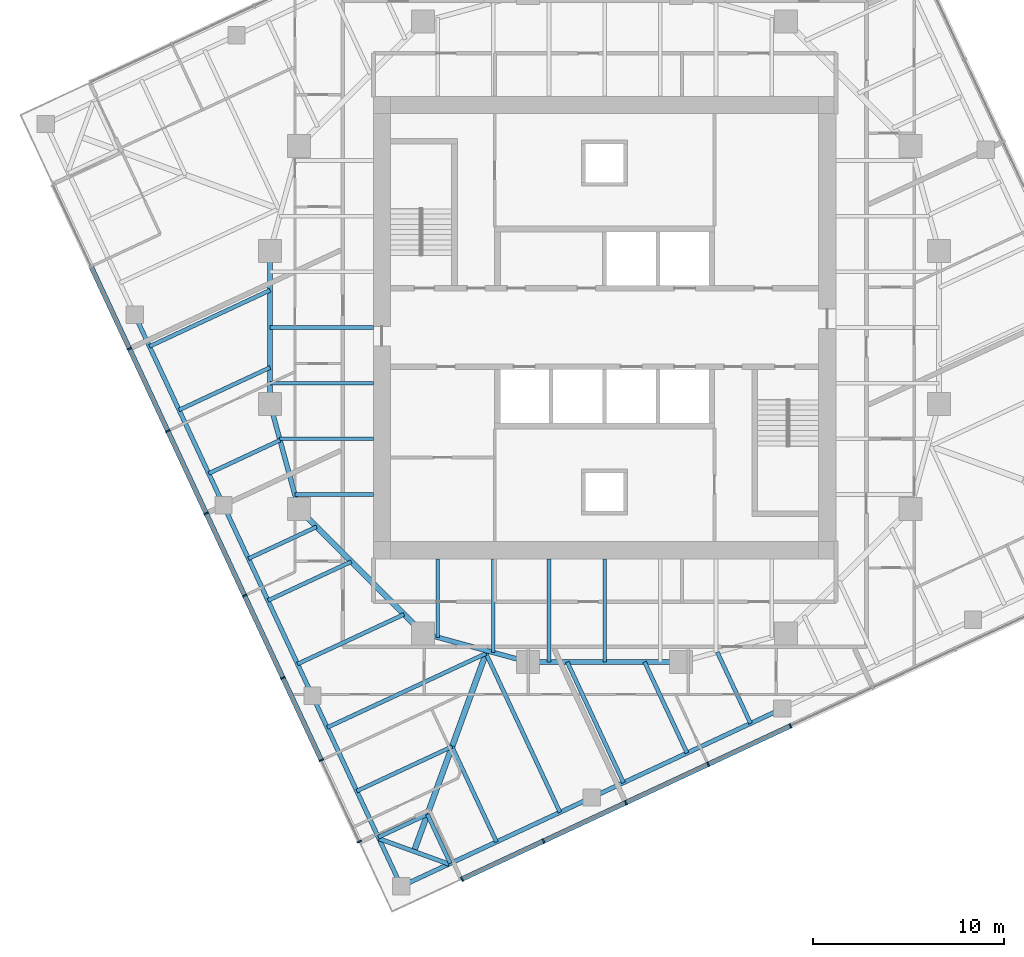
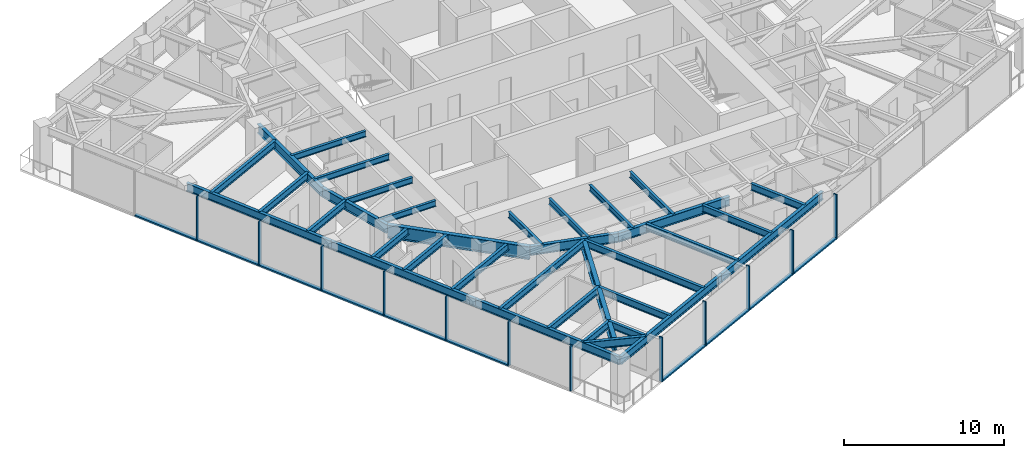
# One storey, part 2 of 12: 35 beams, 22 members, 2 elements without a shape of their own.
"""IFC4 building model written with IfcOpenShell, lengths in metres."""

import ifcopenshell
import ifcopenshell.guid

model = None  # the IFC model being written
_history = None  # IfcOwnerHistory: only IFC2X3 demands one
_inside = {}  # id of a spatial element -> (the spatial element, [elements in it])
_under = {}  # id of a project, library or spatial element -> (it, [spatial elements below it])
_declared = {}  # id of a project -> (the project, [libraries it declares])
_typed = {}  # id of a type object -> (the type object, [elements of that type])
_made_of = {}  # id of a material, layer set ... -> (it, [elements and type objects made of it])


def new_model(schema):
    """Start an empty IFC model of exactly this schema.

    Asked for "IFC4X3", IfcOpenShell would pick the latest addendum, in which some entities
    have other attributes; the version numbers below select the first issue.
    IFC2X3 requires an IfcOwnerHistory on every rooted entity: one is made here for all.
    """
    global model, _history
    if schema == "IFC4X3":
        model = ifcopenshell.file(schema_version=(4, 3, 0, 0))
    else:
        model = ifcopenshell.file(schema=schema)
    _inside.clear()
    _under.clear()
    _declared.clear()
    _typed.clear()
    _made_of.clear()
    _history = None
    if model.schema == "IFC2X3":
        org = make("IfcOrganization", Name="unknown")
        user = make(
            "IfcPersonAndOrganization",
            ThePerson=make("IfcPerson", FamilyName="unknown"),
            TheOrganization=org,
        )
        app = make(
            "IfcApplication",
            ApplicationDeveloper=org,
            Version="unknown",
            ApplicationFullName="unknown",
            ApplicationIdentifier="unknown",
        )
        _history = make(
            "IfcOwnerHistory",
            OwningUser=user,
            OwningApplication=app,
            ChangeAction="ADDED",
            CreationDate=0,
        )
    return model


def make(cls, **values):
    """One entity of the class cls with the attributes given. An attribute that is None is left unset."""
    return model.create_entity(
        cls, **{name: value for name, value in values.items() if value is not None}
    )


def rooted(cls, **values):
    """An entity with a GlobalId (a new one), such as an element, a storey or a relation."""
    return make(cls, GlobalId=ifcopenshell.guid.new(), OwnerHistory=_history, **values)


def si_unit(unit_type, name, prefix=None):
    """IfcSIUnit, for example si_unit("LENGTHUNIT", "METRE", prefix="MILLI")."""
    return make("IfcSIUnit", UnitType=unit_type, Prefix=prefix, Name=name)


def assignment(units):
    """IfcUnitAssignment: the units of a project."""
    return None if units is None else make("IfcUnitAssignment", Units=units)


def point(xyz):
    """IfcCartesianPoint."""
    return None if xyz is None else make("IfcCartesianPoint", Coordinates=xyz)


def direction(xyz):
    """IfcDirection."""
    return None if xyz is None else make("IfcDirection", DirectionRatios=xyz)


def frame(location, z_axis=None, x_axis=None):
    """IfcAxis2Placement3D, a coordinate frame: its origin and axes. An axis left out is left unset."""
    return make(
        "IfcAxis2Placement3D",
        Location=point(location),
        Axis=direction(z_axis),
        RefDirection=direction(x_axis),
    )


def frame_2d(location, x_axis=None):
    """IfcAxis2Placement2D, a coordinate frame in the plane: its origin and x axis."""
    return make(
        "IfcAxis2Placement2D", Location=point(location), RefDirection=direction(x_axis)
    )


def origin():
    """The frame at (0, 0, 0) with its axes left unset."""
    return frame((0.0, 0.0, 0.0))


def origin_2d():
    """The frame at (0, 0) in the plane with its x axis left unset."""
    return frame_2d((0.0, 0.0))


def place(relative_to, where):
    """IfcLocalPlacement: puts the frame where relative to a parent placement (None: the world)."""
    return make(
        "IfcLocalPlacement", PlacementRelTo=relative_to, RelativePlacement=where
    )


def context(
    kind, dimensions, precision=None, world=None, true_north=None, identifier=None
):
    """IfcGeometricRepresentationContext, for example the 3D "Model" context."""
    return make(
        "IfcGeometricRepresentationContext",
        ContextIdentifier=identifier,
        ContextType=kind,
        CoordinateSpaceDimension=dimensions,
        Precision=precision,
        WorldCoordinateSystem=world,
        TrueNorth=true_north,
    )


def subcontext(parent, identifier, kind, view, scale=None):
    """IfcGeometricRepresentationSubContext, for example "Body" below "Model"."""
    return make(
        "IfcGeometricRepresentationSubContext",
        ContextIdentifier=identifier,
        ContextType=kind,
        ParentContext=parent,
        TargetScale=scale,
        TargetView=view,
    )


def project(units=None, contexts=None):
    """IfcProject with its units and contexts."""
    return rooted(
        "IfcProject",
        Name="project",
        RepresentationContexts=contexts,
        UnitsInContext=assignment(units),
    )


def spatial(cls, under=None, at=None, **own):
    """A site, building, storey or space (cls), placed at a placement, below another one or the project."""
    s = rooted(cls, ObjectPlacement=at, **own)
    if under is not None:
        _under.setdefault(under.id(), (under, []))[1].append(s)
    return s


def profile(cls, at=None, kind="AREA", **sizes):
    """A parametric profile (cls). Its sizes go by their IFC names, for example OverallWidth=200.0."""
    return make(cls, ProfileType=kind, Position=at, **sizes)


def rectangle(**sizes):
    """IfcRectangleProfileDef."""
    return profile("IfcRectangleProfileDef", **sizes)


def i_section(**sizes):
    """IfcIShapeProfileDef."""
    return profile("IfcIShapeProfileDef", **sizes)


def extrude(swept, where, along, depth):
    """IfcExtrudedAreaSolid: the profile swept, set in the frame where, extruded along a direction by depth."""
    return make(
        "IfcExtrudedAreaSolid",
        SweptArea=swept,
        Position=where,
        ExtrudedDirection=direction(along),
        Depth=depth,
    )


def shape(context_of_items, identifier, shape_type, items):
    """IfcShapeRepresentation: the items that make up one representation, for example the "Body"."""
    return make(
        "IfcShapeRepresentation",
        ContextOfItems=context_of_items,
        RepresentationIdentifier=identifier,
        RepresentationType=shape_type,
        Items=items,
    )


def material(Name=None, Category=None):
    """IfcMaterial."""
    return make("IfcMaterial", Name=Name, Category=Category)


def material_profile(
    of_material, cross_section, Name=None, Category=None, Priority=None
):
    """IfcMaterialProfile: a cross section and its material."""
    return make(
        "IfcMaterialProfile",
        Name=Name,
        Material=of_material,
        Profile=cross_section,
        Priority=Priority,
        Category=Category,
    )


def profile_set(profiles, Name=None, composite=None):
    """IfcMaterialProfileSet."""
    return make(
        "IfcMaterialProfileSet",
        Name=Name,
        MaterialProfiles=profiles,
        CompositeProfile=composite,
    )


def made_of(thing, what):
    """Note that an element or type object is made of a material, layer set ...; save() writes the relation."""
    if what is not None:
        _made_of.setdefault(what.id(), (what, []))[1].append(thing)
    return thing


def type_object(cls, material=None, **own):
    """A type object (cls), such as IfcWallType, which elements share."""
    return made_of(rooted(cls, **own), material)


def element(
    cls,
    number,
    at=None,
    inside=None,
    cuts=None,
    type_object=None,
    material=None,
    context=None,
    identifier="Body",
    shape_type=None,
    held_by="IfcProductDefinitionShape",
    body=None,
    shapes=None,
    **own,
):
    """One element of the class cls, such as IfcWall. Its Tag is "e" and its number.

    at: its placement. inside: the storey or other place that contains it. cuts: it is an
    opening in that element (IfcRelVoidsElement). A single representation is given by context,
    identifier, shape_type and body (its items); several are given by shapes. held_by: the class
    of the entity that holds the representations. save() writes the other relations.
    """
    e = rooted(cls, Tag="e%d" % number, ObjectPlacement=at, **own)
    if body is not None:
        shapes = [shape(context, identifier, shape_type, body)]
    if shapes is not None:
        e.Representation = make(held_by, Representations=shapes)
    if inside is not None:
        _inside.setdefault(inside.id(), (inside, []))[1].append(e)
    if cuts is not None:
        rooted(
            "IfcRelVoidsElement", RelatingBuildingElement=cuts, RelatedOpeningElement=e
        )
    if type_object is not None:
        _typed.setdefault(type_object.id(), (type_object, []))[1].append(e)
    return made_of(e, material)


def aggregate(whole, parts):
    """IfcRelAggregates: a whole, such as a stair, and the parts it consists of."""
    return rooted("IfcRelAggregates", RelatingObject=whole, RelatedObjects=parts)


def save(model, path):
    """Write the relations noted so far, then the file.

    IfcRelAggregates (storeys below a building ...), IfcRelContainedInSpatialStructure (elements
    in a storey), IfcRelDefinesByType, IfcRelAssociatesMaterial and IfcRelDeclares: one each for
    every whole, place, type object, material and project.
    """
    for whole, parts in _under.values():
        aggregate(whole, parts)
    for where, things in _inside.values():
        rooted(
            "IfcRelContainedInSpatialStructure",
            RelatedElements=things,
            RelatingStructure=where,
        )
    for kind, things in _typed.values():
        rooted("IfcRelDefinesByType", RelatedObjects=things, RelatingType=kind)
    for what, things in _made_of.values():
        rooted("IfcRelAssociatesMaterial", RelatedObjects=things, RelatingMaterial=what)
    for by, libraries in _declared.values():
        rooted("IfcRelDeclares", RelatingContext=by, RelatedDefinitions=libraries)
    model.write(path)


model = new_model("IFC4")

# Units and contexts
model_context = context("Model", 3, precision=1e-05, world=origin(), true_north=direction((0.0, 1.0)))
body_context = subcontext(model_context, "Body", "Model", "MODEL_VIEW")
ifc_project = project(units=[si_unit("LENGTHUNIT", "METRE"), si_unit("AREAUNIT", "SQUARE_METRE"), si_unit("VOLUMEUNIT", "CUBIC_METRE"), si_unit("PLANEANGLEUNIT", "RADIAN"), si_unit("MASSUNIT", "GRAM", prefix="KILO")], contexts=[model_context])

# Site, building, storey
site_placement = place(None, origin())
site = spatial("IfcSite", under=ifc_project, at=site_placement, CompositionType="ELEMENT")
building_placement = place(site_placement, origin())
building = spatial("IfcBuilding", under=site, at=building_placement, Name="Torsade Residences", CompositionType="ELEMENT")
storey_placement = place(building_placement, frame((0.0, 0.0, 189.60009765625)))
storey = spatial("IfcBuildingStorey", under=building, at=storey_placement, Name="L52", CompositionType="ELEMENT", Elevation=189.60009765625)

# Beams
ifc_material_1 = material(Name="Steel grade 300", Category="steel")
ifc_material_profile_1 = material_profile(ifc_material_1, i_section(OverallWidth=0.300048828125, OverallDepth=0.89990234375, WebThickness=0.011962890625, FlangeThickness=0.02490234375, at=origin_2d()), Name="900WB175")
ifc_profile_set_1 = profile_set([ifc_material_profile_1], Name="Steel grade 300")
beam_type_1 = type_object("IfcBeamType", Name="CORNER GIRDER 900WB175", PredefinedType="BEAM", material=ifc_profile_set_1)
beam_1_placement = place(storey_placement, frame((30.02392578125, 2.5908203125, 2.7998046875), z_axis=(0.342015044723, 0.93969447651, 0.0), x_axis=(-0.93969447651, 0.342015044723, 0.0)))
element("IfcBeam", 1, at=beam_1_placement, inside=storey, type_object=beam_type_1, Name="Corner girder 01 L53", PredefinedType="BEAM", context=body_context, shape_type="SweptSolid", body=[
    extrude(i_section(OverallWidth=0.300048828125, OverallDepth=0.89990234375, WebThickness=0.011962890625, FlangeThickness=0.02490234375, at=origin_2d()), origin(), (0.0, 0.0, 1.0), 11.170654296875),
])
ifc_material_2 = material(Name="Steel grade 300", Category="steel")
ifc_material_profile_2 = material_profile(ifc_material_2, i_section(OverallWidth=0.22802734375, OverallDepth=0.60205078125, WebThickness=0.010498046875, FlangeThickness=0.014892578125, FilletRadius=0.013916015625, at=origin_2d()), Name="610UB101")
ifc_profile_set_2 = profile_set([ifc_material_profile_2], Name="Steel grade 300")
beam_type_2 = type_object("IfcBeamType", Name="CORNER TRIMMER 610UB101", PredefinedType="BEAM", material=ifc_profile_set_2)
beam_2_placement = place(storey_placement, frame((31.85107421875, 1.92578125, 2.948974609375), z_axis=(-0.939698076972, 0.342005152204, 0.0), x_axis=(-0.342005152204, -0.939698076972, 0.0)))
element("IfcBeam", 2, at=beam_2_placement, inside=storey, type_object=beam_type_2, Name="Corner trimmer 01 L53", PredefinedType="BEAM", context=body_context, shape_type="SweptSolid", body=[
    extrude(i_section(OverallWidth=0.22802734375, OverallDepth=0.60205078125, WebThickness=0.010498046875, FlangeThickness=0.014892578125, FilletRadius=0.013916015625, at=origin_2d()), origin(), (0.0, 0.0, 1.0), 3.88916015625),
])
ifc_material_3 = material(Name="Steel grade 300", Category="steel")
ifc_material_profile_3 = material_profile(ifc_material_3, i_section(OverallWidth=0.22900390625, OverallDepth=0.612060546875, WebThickness=0.011962890625, FlangeThickness=0.01953125, FilletRadius=0.013916015625, at=origin_2d()), Name="610UB125")
ifc_profile_set_3 = profile_set([ifc_material_profile_3], Name="Steel grade 300")
beam_type_3 = type_object("IfcBeamType", Name="EDGE BEAM 610UB125", PredefinedType="SPANDREL", material=ifc_profile_set_3)
beam_3_placement = place(storey_placement, frame((29.35888671875, 0.763671875, 2.94384765625), z_axis=(0.906309546032, 0.422614489543, 0.0), x_axis=(-0.422614489543, 0.906309546032, 0.0)))
element("IfcBeam", 3, at=beam_3_placement, inside=storey, type_object=beam_type_3, Name="Edge beam 01 L53", PredefinedType="SPANDREL", context=body_context, shape_type="SweptSolid", body=[
    extrude(i_section(OverallWidth=0.22900390625, OverallDepth=0.612060546875, WebThickness=0.011962890625, FlangeThickness=0.01953125, FilletRadius=0.013916015625, at=origin_2d()), origin(), (0.0, 0.0, 1.0), 10.999755859375),
])
for number, where, z_axis, x_axis, name in (
    (4, (39.328125, 5.412353515625, 2.94384765625), (0.906305009094, 0.422624219007, 0.0), (-0.422624219007, 0.906305009094, 0.0), "Edge beam 02 L53"),
    (5, (15.412353515625, 30.671875, 2.94384765625), (0.422624219007, -0.906305009094, 0.0), (0.906305009094, 0.422624219007, 0.0), "Edge beam 14 L53"),
):
    element("IfcBeam", number, at=place(storey_placement, frame(where, z_axis=z_axis, x_axis=x_axis)), inside=storey, type_object=beam_type_3, Name=name, PredefinedType="SPANDREL", context=body_context, shape_type="SweptSolid", body=[
        extrude(i_section(OverallWidth=0.22900390625, OverallDepth=0.612060546875, WebThickness=0.011962890625, FlangeThickness=0.01953125, FilletRadius=0.013916015625, at=origin_2d()), origin(), (0.0, 0.0, 1.0), 11.000244140625),
    ])
for number, where, z_axis, x_axis, name in (
    (6, (20.061279296875, 20.702392578125, 2.94384765625), (0.422605988587, -0.906313510001, 0.0), (0.906313510001, 0.422605988587, 0.0), "Edge beam 15 L53"),
    (7, (24.7099609375, 10.73291015625, 2.94384765625), (0.422632720171, -0.90630104482, 0.0), (0.90630104482, 0.422632720171, 0.0), "Edge beam 16 L53"),
):
    element("IfcBeam", number, at=place(storey_placement, frame(where, z_axis=z_axis, x_axis=x_axis)), inside=storey, type_object=beam_type_3, Name=name, PredefinedType="SPANDREL", context=body_context, shape_type="SweptSolid", body=[
        extrude(i_section(OverallWidth=0.22900390625, OverallDepth=0.612060546875, WebThickness=0.011962890625, FlangeThickness=0.01953125, FilletRadius=0.013916015625, at=origin_2d()), origin(), (0.0, 0.0, 1.0), 11.0),
    ])
ifc_material_4 = material(Name="Steel grade 300", Category="steel")
ifc_material_profile_4 = material_profile(ifc_material_4, i_section(OverallWidth=0.18994140625, OverallDepth=0.4541015625, WebThickness=0.008544921875, FlangeThickness=0.0126953125, FilletRadius=0.011474609375, at=origin_2d()), Name="460UB67.1")
ifc_profile_set_4 = profile_set([ifc_material_profile_4], Name="Steel grade 300")
beam_type_4 = type_object("IfcBeamType", Name="INNER FLOOR BEAM 460UB67.1", PredefinedType="JOIST", material=ifc_profile_set_4)
for number, where, z_axis, x_axis, name in (
    (8, (40.0, 17.89990234375, 3.02294921875), (0.0, -1.0, 0.0), (1.0, 0.0, 0.0), "Inner floor beam IS04 L53"),
    (9, (37.08740234375, 17.89990234375, 3.02294921875), (0.0, -1.0, 0.0), (1.0, 0.0, 0.0), "Inner floor beam IS05 L53"),
):
    element("IfcBeam", number, at=place(storey_placement, frame(where, z_axis=z_axis, x_axis=x_axis)), inside=storey, type_object=beam_type_4, Name=name, PredefinedType="JOIST", context=body_context, shape_type="SweptSolid", body=[
        extrude(i_section(OverallWidth=0.18994140625, OverallDepth=0.4541015625, WebThickness=0.008544921875, FlangeThickness=0.0126953125, FilletRadius=0.011474609375, at=origin_2d()), origin(), (0.0, 0.0, 1.0), 5.39990234375),
    ])
beam_4_placement = place(storey_placement, frame((34.175048828125, 17.89990234375, 3.02294921875), z_axis=(0.0, -1.0, 0.0), x_axis=(1.0, 0.0, 0.0)))
element("IfcBeam", 10, at=beam_4_placement, inside=storey, type_object=beam_type_4, Name="Inner floor beam IS06 L53", PredefinedType="JOIST", context=body_context, shape_type="SweptSolid", body=[
    extrude(i_section(OverallWidth=0.18994140625, OverallDepth=0.4541015625, WebThickness=0.008544921875, FlangeThickness=0.0126953125, FilletRadius=0.011474609375, at=origin_2d()), origin(), (0.0, 0.0, 1.0), 4.902099609375),
])
beam_5_placement = place(storey_placement, frame((31.262451171875, 17.89990234375, 3.02294921875), z_axis=(0.0, -1.0, 0.0), x_axis=(1.0, 0.0, 0.0)))
element("IfcBeam", 11, at=beam_5_placement, inside=storey, type_object=beam_type_4, Name="Inner floor beam IS07 L53", PredefinedType="JOIST", context=body_context, shape_type="SweptSolid", body=[
    extrude(i_section(OverallWidth=0.18994140625, OverallDepth=0.4541015625, WebThickness=0.008544921875, FlangeThickness=0.0126953125, FilletRadius=0.011474609375, at=origin_2d()), origin(), (0.0, 0.0, 1.0), 4.10791015625),
])
for number, where, z_axis, x_axis, name in (
    (12, (27.89990234375, 30.0, 3.02294921875), (-1.0, 0.0, 0.0), (0.0, -1.0, 0.0), "Inner floor beam IW04 L53"),
    (13, (27.89990234375, 27.08740234375, 3.02294921875), (-1.0, 0.0, 0.0), (0.0, -1.0, 0.0), "Inner floor beam IW05 L53"),
):
    element("IfcBeam", number, at=place(storey_placement, frame(where, z_axis=z_axis, x_axis=x_axis)), inside=storey, type_object=beam_type_4, Name=name, PredefinedType="JOIST", context=body_context, shape_type="SweptSolid", body=[
        extrude(i_section(OverallWidth=0.18994140625, OverallDepth=0.4541015625, WebThickness=0.008544921875, FlangeThickness=0.0126953125, FilletRadius=0.011474609375, at=origin_2d()), origin(), (0.0, 0.0, 1.0), 5.39990234375),
    ])
beam_6_placement = place(storey_placement, frame((27.89990234375, 24.175048828125, 3.02294921875), z_axis=(-1.0, 0.0, 0.0), x_axis=(0.0, -1.0, 0.0)))
element("IfcBeam", 14, at=beam_6_placement, inside=storey, type_object=beam_type_4, Name="Inner floor beam IW06 L53", PredefinedType="JOIST", context=body_context, shape_type="SweptSolid", body=[
    extrude(i_section(OverallWidth=0.18994140625, OverallDepth=0.4541015625, WebThickness=0.008544921875, FlangeThickness=0.0126953125, FilletRadius=0.011474609375, at=origin_2d()), origin(), (0.0, 0.0, 1.0), 4.902099609375),
])
beam_7_placement = place(storey_placement, frame((27.89990234375, 21.262451171875, 3.02294921875), z_axis=(-1.0, 0.0, 0.0), x_axis=(0.0, -1.0, 0.0)))
element("IfcBeam", 15, at=beam_7_placement, inside=storey, type_object=beam_type_4, Name="Inner floor beam IW07 L53", PredefinedType="JOIST", context=body_context, shape_type="SweptSolid", body=[
    extrude(i_section(OverallWidth=0.18994140625, OverallDepth=0.4541015625, WebThickness=0.008544921875, FlangeThickness=0.0126953125, FilletRadius=0.011474609375, at=origin_2d()), origin(), (0.0, 0.0, 1.0), 4.10791015625),
])

# Curtain wall, members
ifc_material_5 = material(Name="Aluminium and glass", Category="aluminium")
curtain_wall_type = type_object("IfcCurtainWallType", Name="FRITTED GLASS CURTAIN WALL MID ZONE", PredefinedType="NOTDEFINED", material=ifc_material_5)
curtain_wall_1_placement = place(storey_placement, origin())
curtain_wall_1 = element("IfcCurtainWall", 16, at=curtain_wall_1_placement, inside=storey, type_object=curtain_wall_type, Name="Curtain wall L52 face 1", PredefinedType="NOTDEFINED")
ifc_material_6 = material(Name="Aluminium mullion", Category="aluminium")
ifc_material_profile_5 = material_profile(ifc_material_6, rectangle(XDim=0.25, YDim=0.080078125, at=origin_2d()), Name="MID ZONE CURTAIN WALL MULLION 250x80")
ifc_profile_set_5 = profile_set([ifc_material_profile_5], Name="Aluminium mullion")
member_type_1 = type_object("IfcMemberType", Name="MID ZONE CURTAIN WALL MULLION 250x80", PredefinedType="MULLION", material=ifc_profile_set_5)
member_1_placement = place(storey_placement, frame((32.53662109375, 1.14208984375, 0.0), z_axis=(0.0, 0.0, 1.0), x_axis=(-0.422618261978, 0.906307786926, 0.0)))
member_1 = element("IfcMember", 17, at=member_1_placement, type_object=member_type_1, Name="Mullion 1", PredefinedType="MULLION", context=body_context, shape_type="SweptSolid", body=[
    extrude(rectangle(XDim=0.25, YDim=0.080078125, at=origin_2d()), origin(), (0.0, 0.0, 1.0), 3.39990234375),
])
member_2_placement = place(storey_placement, frame((36.805419921875, 3.132568359375, 0.0), z_axis=(0.0, 0.0, 1.0), x_axis=(-0.422618261978, 0.906307786926, 0.0)))
member_2 = element("IfcMember", 18, at=member_2_placement, type_object=member_type_1, Name="Mullion 2", PredefinedType="MULLION", context=body_context, shape_type="SweptSolid", body=[
    extrude(rectangle(XDim=0.25, YDim=0.080078125, at=origin_2d()), origin(), (0.0, 0.0, 1.0), 3.39990234375),
])
member_3_placement = place(storey_placement, frame((41.1103515625, 5.14013671875, 0.0), z_axis=(0.0, 0.0, 1.0), x_axis=(-0.422618261978, 0.906307786926, 0.0)))
member_3 = element("IfcMember", 19, at=member_3_placement, type_object=member_type_1, Name="Mullion 3", PredefinedType="MULLION", context=body_context, shape_type="SweptSolid", body=[
    extrude(rectangle(XDim=0.25, YDim=0.080078125, at=origin_2d()), origin(), (0.0, 0.0, 1.0), 3.39990234375),
])
member_4_placement = place(storey_placement, frame((45.415283203125, 7.1474609375, 0.0), z_axis=(0.0, 0.0, 1.0), x_axis=(-0.422618261978, 0.906307786926, 0.0)))
member_4 = element("IfcMember", 20, at=member_4_placement, type_object=member_type_1, Name="Mullion 4", PredefinedType="MULLION", context=body_context, shape_type="SweptSolid", body=[
    extrude(rectangle(XDim=0.25, YDim=0.080078125, at=origin_2d()), origin(), (0.0, 0.0, 1.0), 3.39990234375),
])
member_5_placement = place(storey_placement, frame((49.72021484375, 9.155029296875, 0.0), z_axis=(0.0, 0.0, 1.0), x_axis=(-0.422618261978, 0.906307786926, 0.0)))
member_5 = element("IfcMember", 21, at=member_5_placement, type_object=member_type_1, Name="Mullion 5", PredefinedType="MULLION", context=body_context, shape_type="SweptSolid", body=[
    extrude(rectangle(XDim=0.25, YDim=0.080078125, at=origin_2d()), origin(), (0.0, 0.0, 1.0), 3.39990234375),
])

curtain_wall_2_placement = place(storey_placement, origin())
curtain_wall_2 = element("IfcCurtainWall", 22, at=curtain_wall_2_placement, inside=storey, type_object=curtain_wall_type, Name="Curtain wall L52 face 10", PredefinedType="NOTDEFINED")
member_6_placement = place(storey_placement, frame((15.14013671875, 28.8896484375, 0.0), z_axis=(0.0, 0.0, 1.0), x_axis=(0.906307786926, 0.422618261978, 0.0)))
member_6 = element("IfcMember", 23, at=member_6_placement, type_object=member_type_1, Name="Mullion 3", PredefinedType="MULLION", context=body_context, shape_type="SweptSolid", body=[
    extrude(rectangle(XDim=0.25, YDim=0.080078125, at=origin_2d()), origin(), (0.0, 0.0, 1.0), 3.39990234375),
])
member_7_placement = place(storey_placement, frame((17.1474609375, 24.584716796875, 0.0), z_axis=(0.0, 0.0, 1.0), x_axis=(0.906307786926, 0.422618261978, 0.0)))
member_7 = element("IfcMember", 24, at=member_7_placement, type_object=member_type_1, Name="Mullion 4", PredefinedType="MULLION", context=body_context, shape_type="SweptSolid", body=[
    extrude(rectangle(XDim=0.25, YDim=0.080078125, at=origin_2d()), origin(), (0.0, 0.0, 1.0), 3.39990234375),
])
member_8_placement = place(storey_placement, frame((19.155029296875, 20.27978515625, 0.0), z_axis=(0.0, 0.0, 1.0), x_axis=(0.906307786926, 0.422618261978, 0.0)))
member_8 = element("IfcMember", 25, at=member_8_placement, type_object=member_type_1, Name="Mullion 5", PredefinedType="MULLION", context=body_context, shape_type="SweptSolid", body=[
    extrude(rectangle(XDim=0.25, YDim=0.080078125, at=origin_2d()), origin(), (0.0, 0.0, 1.0), 3.39990234375),
])
member_9_placement = place(storey_placement, frame((21.162353515625, 15.974853515625, 0.0), z_axis=(0.0, 0.0, 1.0), x_axis=(0.906307786926, 0.422618261978, 0.0)))
member_9 = element("IfcMember", 26, at=member_9_placement, type_object=member_type_1, Name="Mullion 6", PredefinedType="MULLION", context=body_context, shape_type="SweptSolid", body=[
    extrude(rectangle(XDim=0.25, YDim=0.080078125, at=origin_2d()), origin(), (0.0, 0.0, 1.0), 3.39990234375),
])
member_10_placement = place(storey_placement, frame((23.169677734375, 11.669921875, 0.0), z_axis=(0.0, 0.0, 1.0), x_axis=(0.906307786926, 0.422618261978, 0.0)))
member_10 = element("IfcMember", 27, at=member_10_placement, type_object=member_type_1, Name="Mullion 7", PredefinedType="MULLION", context=body_context, shape_type="SweptSolid", body=[
    extrude(rectangle(XDim=0.25, YDim=0.080078125, at=origin_2d()), origin(), (0.0, 0.0, 1.0), 3.39990234375),
])
member_11_placement = place(storey_placement, frame((25.17724609375, 7.364990234375, 0.0), z_axis=(0.0, 0.0, 1.0), x_axis=(0.906307786926, 0.422618261978, 0.0)))
member_11 = element("IfcMember", 28, at=member_11_placement, type_object=member_type_1, Name="Mullion 8", PredefinedType="MULLION", context=body_context, shape_type="SweptSolid", body=[
    extrude(rectangle(XDim=0.25, YDim=0.080078125, at=origin_2d()), origin(), (0.0, 0.0, 1.0), 3.39990234375),
])
member_12_placement = place(storey_placement, frame((27.167724609375, 3.09619140625, 0.0), z_axis=(0.0, 0.0, 1.0), x_axis=(0.906307786926, 0.422618261978, 0.0)))
member_12 = element("IfcMember", 29, at=member_12_placement, type_object=member_type_1, Name="Mullion 9", PredefinedType="MULLION", context=body_context, shape_type="SweptSolid", body=[
    extrude(rectangle(XDim=0.25, YDim=0.080078125, at=origin_2d()), origin(), (0.0, 0.0, 1.0), 3.39990234375),
])

# Member
ifc_material_7 = material(Name="Aluminium transom", Category="aluminium")
ifc_material_profile_6 = material_profile(ifc_material_7, rectangle(XDim=0.25, YDim=0.110107421875, at=origin_2d()), Name="MID ZONE CURTAIN WALL TRANSOM 250x110")
ifc_profile_set_6 = profile_set([ifc_material_profile_6], Name="Aluminium transom")
member_type_2 = type_object("IfcMemberType", Name="MID ZONE CURTAIN WALL TRANSOM 250x110", PredefinedType="USERDEFINED", material=ifc_profile_set_6)
member_13_placement = place(storey_placement, frame((32.572998046875, 1.158935546875, 0.054931640625), z_axis=(0.906296268578, 0.422642962277, 0.0), x_axis=(-0.422642962277, 0.906296268578, 0.0)))
member_13 = element("IfcMember", 30, at=member_13_placement, type_object=member_type_2, Name="Transom 1.1", ObjectType="TRANSOM", PredefinedType="USERDEFINED", context=body_context, shape_type="SweptSolid", body=[
    extrude(rectangle(XDim=0.25, YDim=0.110107421875, at=origin_2d()), origin(), (0.0, 0.0, 1.0), 4.6298828125),
])

member_14_placement = place(storey_placement, frame((36.841552734375, 3.1494140625, 0.054931640625), z_axis=(0.906305976097, 0.422622145291, 0.0), x_axis=(-0.422622145291, 0.906305976097, 0.0)))
member_14 = element("IfcMember", 31, at=member_14_placement, type_object=member_type_2, Name="Transom 2.1", ObjectType="TRANSOM", PredefinedType="USERDEFINED", context=body_context, shape_type="SweptSolid", body=[
    extrude(rectangle(XDim=0.25, YDim=0.110107421875, at=origin_2d()), origin(), (0.0, 0.0, 1.0), 4.669921875),
])

member_15_placement = place(storey_placement, frame((41.146484375, 5.156982421875, 0.054931640625), z_axis=(0.906305976097, 0.422622145291, 0.0), x_axis=(-0.422622145291, 0.906305976097, 0.0)))
member_15 = element("IfcMember", 32, at=member_15_placement, type_object=member_type_2, Name="Transom 3.1", ObjectType="TRANSOM", PredefinedType="USERDEFINED", context=body_context, shape_type="SweptSolid", body=[
    extrude(rectangle(XDim=0.25, YDim=0.110107421875, at=origin_2d()), origin(), (0.0, 0.0, 1.0), 4.669921875),
])

member_16_placement = place(storey_placement, frame((45.451416015625, 7.164306640625, 0.054931640625), z_axis=(0.90631531293, 0.422602122035, 0.0), x_axis=(-0.422602122035, 0.90631531293, 0.0)))
member_16 = element("IfcMember", 33, at=member_16_placement, type_object=member_type_2, Name="Transom 4.1", ObjectType="TRANSOM", PredefinedType="USERDEFINED", context=body_context, shape_type="SweptSolid", body=[
    extrude(rectangle(XDim=0.25, YDim=0.110107421875, at=origin_2d()), origin(), (0.0, 0.0, 1.0), 4.670166015625),
])

aggregate(curtain_wall_1, [member_1, member_2, member_3, member_4, member_5, member_13, member_14, member_15, member_16])

member_17_placement = place(storey_placement, frame((13.1494140625, 33.158447265625, 0.054931640625), z_axis=(0.422622145291, -0.906305976097, 0.0), x_axis=(0.906305976097, 0.422622145291, 0.0)))
member_17 = element("IfcMember", 34, at=member_17_placement, type_object=member_type_2, Name="Transom 2.1", ObjectType="TRANSOM", PredefinedType="USERDEFINED", context=body_context, shape_type="SweptSolid", body=[
    extrude(rectangle(XDim=0.25, YDim=0.110107421875, at=origin_2d()), origin(), (0.0, 0.0, 1.0), 4.669921875),
])

member_18_placement = place(storey_placement, frame((15.156982421875, 28.853515625, 0.054931640625), z_axis=(0.422622145291, -0.906305976097, 0.0), x_axis=(0.906305976097, 0.422622145291, 0.0)))
member_18 = element("IfcMember", 35, at=member_18_placement, type_object=member_type_2, Name="Transom 3.1", ObjectType="TRANSOM", PredefinedType="USERDEFINED", context=body_context, shape_type="SweptSolid", body=[
    extrude(rectangle(XDim=0.25, YDim=0.110107421875, at=origin_2d()), origin(), (0.0, 0.0, 1.0), 4.669921875),
])

member_19_placement = place(storey_placement, frame((17.164306640625, 24.548583984375, 0.054931640625), z_axis=(0.422602122035, -0.90631531293, 0.0), x_axis=(0.90631531293, 0.422602122035, 0.0)))
member_19 = element("IfcMember", 36, at=member_19_placement, type_object=member_type_2, Name="Transom 4.1", ObjectType="TRANSOM", PredefinedType="USERDEFINED", context=body_context, shape_type="SweptSolid", body=[
    extrude(rectangle(XDim=0.25, YDim=0.110107421875, at=origin_2d()), origin(), (0.0, 0.0, 1.0), 4.670166015625),
])

member_20_placement = place(storey_placement, frame((19.171875, 20.243408203125, 0.054931640625), z_axis=(0.422622145291, -0.906305976097, 0.0), x_axis=(0.906305976097, 0.422622145291, 0.0)))
member_20 = element("IfcMember", 37, at=member_20_placement, type_object=member_type_2, Name="Transom 5.1", ObjectType="TRANSOM", PredefinedType="USERDEFINED", context=body_context, shape_type="SweptSolid", body=[
    extrude(rectangle(XDim=0.25, YDim=0.110107421875, at=origin_2d()), origin(), (0.0, 0.0, 1.0), 4.669921875),
])

member_21_placement = place(storey_placement, frame((21.17919921875, 15.9384765625, 0.054931640625), z_axis=(0.422622145291, -0.906305976097, 0.0), x_axis=(0.906305976097, 0.422622145291, 0.0)))
member_21 = element("IfcMember", 38, at=member_21_placement, type_object=member_type_2, Name="Transom 6.1", ObjectType="TRANSOM", PredefinedType="USERDEFINED", context=body_context, shape_type="SweptSolid", body=[
    extrude(rectangle(XDim=0.25, YDim=0.110107421875, at=origin_2d()), origin(), (0.0, 0.0, 1.0), 4.669921875),
])

member_22_placement = place(storey_placement, frame((23.186767578125, 11.633544921875, 0.054931640625), z_axis=(0.422622145291, -0.906305976097, 0.0), x_axis=(0.906305976097, 0.422622145291, 0.0)))
member_22 = element("IfcMember", 39, at=member_22_placement, type_object=member_type_2, Name="Transom 7.1", ObjectType="TRANSOM", PredefinedType="USERDEFINED", context=body_context, shape_type="SweptSolid", body=[
    extrude(rectangle(XDim=0.25, YDim=0.110107421875, at=origin_2d()), origin(), (0.0, 0.0, 1.0), 4.669921875),
])

aggregate(curtain_wall_2, [member_6, member_7, member_8, member_9, member_10, member_11, member_12, member_17, member_18, member_19, member_20, member_21, member_22])

# Beams
ifc_material_8 = material(Name="Steel grade 300", Category="steel")
ifc_material_profile_7 = material_profile(ifc_material_8, i_section(OverallWidth=0.300048828125, OverallDepth=1.0, WebThickness=0.01611328125, FlangeThickness=0.028076171875, at=origin_2d()), Name="1000WB215")
ifc_profile_set_7 = profile_set([ifc_material_profile_7], Name="Steel grade 300")
beam_type_5 = type_object("IfcBeamType", Name="RING CORNER GIRDER 1000WB215", PredefinedType="BEAM", material=ifc_profile_set_7)
beam_8_placement = place(storey_placement, frame((24.0, 20.5, 2.75), z_axis=(0.707106781187, -0.707106781187, 0.0), x_axis=(0.707106781187, 0.707106781187, 0.0)))
element("IfcBeam", 40, at=beam_8_placement, inside=storey, type_object=beam_type_5, Name="Ring girder IR11 L53", PredefinedType="BEAM", context=body_context, shape_type="SweptSolid", body=[
    extrude(i_section(OverallWidth=0.300048828125, OverallDepth=1.0, WebThickness=0.01611328125, FlangeThickness=0.028076171875, at=origin_2d()), origin(), (0.0, 0.0, 1.0), 9.1923828125),
])
ifc_material_9 = material(Name="Steel grade 300", Category="steel")
ifc_material_profile_8 = material_profile(ifc_material_9, i_section(OverallWidth=0.25, OverallDepth=0.699951171875, WebThickness=0.010009765625, FlangeThickness=0.02001953125, at=origin_2d()), Name="700WB130")
ifc_profile_set_8 = profile_set([ifc_material_profile_8], Name="Steel grade 300")
beam_type_6 = type_object("IfcBeamType", Name="RING GIRDER 700WB130", PredefinedType="BEAM", material=ifc_profile_set_8)
beam_9_placement = place(storey_placement, frame((22.5, 34.0, 2.89990234375), z_axis=(0.0, -1.0, 0.0), x_axis=(1.0, 0.0, 0.0)))
element("IfcBeam", 41, at=beam_9_placement, inside=storey, type_object=beam_type_6, Name="Ring girder IR09 L53", PredefinedType="BEAM", context=body_context, shape_type="SweptSolid", body=[
    extrude(i_section(OverallWidth=0.25, OverallDepth=0.699951171875, WebThickness=0.010009765625, FlangeThickness=0.02001953125, at=origin_2d()), origin(), (0.0, 0.0, 1.0), 8.0),
])
for number, where, z_axis, x_axis, name in (
    (42, (22.5, 26.0, 2.89990234375), (0.263117405792, -0.964763821238, 0.0), (0.964763821238, 0.263117405792, 0.0), "Ring girder IR10 L53"),
    (43, (30.5, 14.0, 2.89990234375), (0.964763821238, -0.263117405792, 0.0), (0.263117405792, 0.964763821238, 0.0), "Ring girder IR12 L53"),
):
    element("IfcBeam", number, at=place(storey_placement, frame(where, z_axis=z_axis, x_axis=x_axis)), inside=storey, type_object=beam_type_6, Name=name, PredefinedType="BEAM", context=body_context, shape_type="SweptSolid", body=[
        extrude(i_section(OverallWidth=0.25, OverallDepth=0.699951171875, WebThickness=0.010009765625, FlangeThickness=0.02001953125, at=origin_2d()), origin(), (0.0, 0.0, 1.0), 5.700927734375),
    ])
beam_10_placement = place(storey_placement, frame((36.0, 12.5, 2.89990234375), z_axis=(1.0, 0.0, 0.0), x_axis=(0.0, 1.0, 0.0)))
element("IfcBeam", 44, at=beam_10_placement, inside=storey, type_object=beam_type_6, Name="Ring girder IR13 L53", PredefinedType="BEAM", context=body_context, shape_type="SweptSolid", body=[
    extrude(i_section(OverallWidth=0.25, OverallDepth=0.699951171875, WebThickness=0.010009765625, FlangeThickness=0.02001953125, at=origin_2d()), origin(), (0.0, 0.0, 1.0), 8.0),
])
ifc_material_10 = material(Name="Steel grade 300", Category="steel")
ifc_material_profile_9 = material_profile(ifc_material_10, i_section(OverallWidth=0.208984375, OverallDepth=0.528076171875, WebThickness=0.009521484375, FlangeThickness=0.01318359375, FilletRadius=0.013916015625, at=origin_2d()), Name="530UB82.0")
ifc_profile_set_9 = profile_set([ifc_material_profile_9], Name="Steel grade 300")
beam_type_7 = type_object("IfcBeamType", Name="SECONDARY BEAM 530UB82.0", PredefinedType="JOIST", material=ifc_profile_set_9)
beam_11_placement = place(storey_placement, frame((31.9267578125, 1.9609375, 2.98583984375), z_axis=(-0.422644877104, 0.906295375613, 0.0), x_axis=(-0.906295375613, -0.422644877104, 0.0)))
element("IfcBeam", 45, at=beam_11_placement, inside=storey, type_object=beam_type_7, Name="Floor beam FS01 L53", PredefinedType="JOIST", context=body_context, shape_type="SweptSolid", body=[
    extrude(i_section(OverallWidth=0.208984375, OverallDepth=0.528076171875, WebThickness=0.009521484375, FlangeThickness=0.01318359375, FilletRadius=0.013916015625, at=origin_2d()), origin(), (0.0, 0.0, 1.0), 2.833251953125),
])
beam_12_placement = place(storey_placement, frame((34.343505859375, 3.088134765625, 2.98583984375), z_axis=(-0.422632720171, 0.90630104482, 0.0), x_axis=(-0.90630104482, -0.422632720171, 0.0)))
element("IfcBeam", 46, at=beam_12_placement, inside=storey, type_object=beam_type_7, Name="Floor beam FS02 L53", PredefinedType="JOIST", context=body_context, shape_type="SweptSolid", body=[
    extrude(i_section(OverallWidth=0.208984375, OverallDepth=0.528076171875, WebThickness=0.009521484375, FlangeThickness=0.01318359375, FilletRadius=0.013916015625, at=origin_2d()), origin(), (0.0, 0.0, 1.0), 5.5),
])
beam_13_placement = place(storey_placement, frame((37.666748046875, 4.6376953125, 2.98583984375), z_axis=(-0.422618627092, 0.90630761667, 0.0), x_axis=(-0.90630761667, -0.422618627092, 0.0)))
element("IfcBeam", 47, at=beam_13_placement, inside=storey, type_object=beam_type_7, Name="Floor beam FS03 L53", PredefinedType="JOIST", context=body_context, shape_type="SweptSolid", body=[
    extrude(i_section(OverallWidth=0.208984375, OverallDepth=0.528076171875, WebThickness=0.009521484375, FlangeThickness=0.01318359375, FilletRadius=0.013916015625, at=origin_2d()), origin(), (0.0, 0.0, 1.0), 9.166748046875),
])
beam_14_placement = place(storey_placement, frame((40.98974609375, 6.187255859375, 2.98583984375), z_axis=(-0.422609131726, 0.906312044376, 0.0), x_axis=(-0.906312044376, -0.422609131726, 0.0)))
element("IfcBeam", 48, at=beam_14_placement, inside=storey, type_object=beam_type_7, Name="Floor beam FS04 L53", PredefinedType="JOIST", context=body_context, shape_type="SweptSolid", body=[
    extrude(i_section(OverallWidth=0.208984375, OverallDepth=0.528076171875, WebThickness=0.009521484375, FlangeThickness=0.01318359375, FilletRadius=0.013916015625, at=origin_2d()), origin(), (0.0, 0.0, 1.0), 6.96533203125),
])
beam_15_placement = place(storey_placement, frame((44.31298828125, 7.73681640625, 2.98583984375), z_axis=(-0.422631142882, 0.90630178035, 0.0), x_axis=(-0.90630178035, -0.422631142882, 0.0)))
element("IfcBeam", 49, at=beam_15_placement, inside=storey, type_object=beam_type_7, Name="Floor beam FS05 L53", PredefinedType="JOIST", context=body_context, shape_type="SweptSolid", body=[
    extrude(i_section(OverallWidth=0.208984375, OverallDepth=0.528076171875, WebThickness=0.009521484375, FlangeThickness=0.01318359375, FilletRadius=0.013916015625, at=origin_2d()), origin(), (0.0, 0.0, 1.0), 5.255615234375),
])
beam_16_placement = place(storey_placement, frame((47.635986328125, 9.286376953125, 2.98583984375), z_axis=(-0.422635442612, 0.906299775267, 0.0), x_axis=(-0.906299775267, -0.422635442612, 0.0)))
element("IfcBeam", 50, at=beam_16_placement, inside=storey, type_object=beam_type_7, Name="Floor beam FS06 L53", PredefinedType="JOIST", context=body_context, shape_type="SweptSolid", body=[
    extrude(i_section(OverallWidth=0.208984375, OverallDepth=0.528076171875, WebThickness=0.009521484375, FlangeThickness=0.01318359375, FilletRadius=0.013916015625, at=origin_2d()), origin(), (0.0, 0.0, 1.0), 4.116455078125),
])
beam_17_placement = place(storey_placement, frame((16.187255859375, 29.01025390625, 2.98583984375), z_axis=(0.906312044376, 0.422609131726, 0.0), x_axis=(-0.422609131726, 0.906312044376, 0.0)))
element("IfcBeam", 51, at=beam_17_placement, inside=storey, type_object=beam_type_7, Name="Floor beam FW04 L53", PredefinedType="JOIST", context=body_context, shape_type="SweptSolid", body=[
    extrude(i_section(OverallWidth=0.208984375, OverallDepth=0.528076171875, WebThickness=0.009521484375, FlangeThickness=0.01318359375, FilletRadius=0.013916015625, at=origin_2d()), origin(), (0.0, 0.0, 1.0), 6.96533203125),
])
beam_18_placement = place(storey_placement, frame((17.73681640625, 25.68701171875, 2.98583984375), z_axis=(0.90630178035, 0.422631142882, 0.0), x_axis=(-0.422631142882, 0.90630178035, 0.0)))
element("IfcBeam", 52, at=beam_18_placement, inside=storey, type_object=beam_type_7, Name="Floor beam FW05 L53", PredefinedType="JOIST", context=body_context, shape_type="SweptSolid", body=[
    extrude(i_section(OverallWidth=0.208984375, OverallDepth=0.528076171875, WebThickness=0.009521484375, FlangeThickness=0.01318359375, FilletRadius=0.013916015625, at=origin_2d()), origin(), (0.0, 0.0, 1.0), 5.255615234375),
])
beam_19_placement = place(storey_placement, frame((19.286376953125, 22.364013671875, 2.98583984375), z_axis=(0.906299775267, 0.422635442612, 0.0), x_axis=(-0.422635442612, 0.906299775267, 0.0)))
element("IfcBeam", 53, at=beam_19_placement, inside=storey, type_object=beam_type_7, Name="Floor beam FW06 L53", PredefinedType="JOIST", context=body_context, shape_type="SweptSolid", body=[
    extrude(i_section(OverallWidth=0.208984375, OverallDepth=0.528076171875, WebThickness=0.009521484375, FlangeThickness=0.01318359375, FilletRadius=0.013916015625, at=origin_2d()), origin(), (0.0, 0.0, 1.0), 4.116455078125),
])
beam_20_placement = place(storey_placement, frame((21.3642578125, 17.907958984375, 2.98583984375), z_axis=(0.906295680735, 0.422644222818, 0.0), x_axis=(-0.422644222818, 0.906295680735, 0.0)))
element("IfcBeam", 54, at=beam_20_placement, inside=storey, type_object=beam_type_7, Name="Floor beam FW07 L53", PredefinedType="JOIST", context=body_context, shape_type="SweptSolid", body=[
    extrude(i_section(OverallWidth=0.208984375, OverallDepth=0.528076171875, WebThickness=0.009521484375, FlangeThickness=0.01318359375, FilletRadius=0.013916015625, at=origin_2d()), origin(), (0.0, 0.0, 1.0), 3.933837890625),
])
beam_21_placement = place(storey_placement, frame((22.3857421875, 15.7177734375, 2.98583984375), z_axis=(0.906307500203, 0.422618876857, 0.0), x_axis=(-0.422618876857, 0.906307500203, 0.0)))
element("IfcBeam", 55, at=beam_21_placement, inside=storey, type_object=beam_type_7, Name="Floor beam FW08 L53", PredefinedType="JOIST", context=body_context, shape_type="SweptSolid", body=[
    extrude(i_section(OverallWidth=0.208984375, OverallDepth=0.528076171875, WebThickness=0.009521484375, FlangeThickness=0.01318359375, FilletRadius=0.013916015625, at=origin_2d()), origin(), (0.0, 0.0, 1.0), 4.813232421875),
])
beam_22_placement = place(storey_placement, frame((23.935302734375, 12.39453125, 2.98583984375), z_axis=(0.906293692233, 0.42264848683, 0.0), x_axis=(-0.42264848683, 0.906293692233, 0.0)))
element("IfcBeam", 56, at=beam_22_placement, inside=storey, type_object=beam_type_7, Name="Floor beam FW09 L53", PredefinedType="JOIST", context=body_context, shape_type="SweptSolid", body=[
    extrude(i_section(OverallWidth=0.208984375, OverallDepth=0.528076171875, WebThickness=0.009521484375, FlangeThickness=0.01318359375, FilletRadius=0.013916015625, at=origin_2d()), origin(), (0.0, 0.0, 1.0), 6.14794921875),
])
beam_23_placement = place(storey_placement, frame((25.48486328125, 9.071533203125, 2.98583984375), z_axis=(0.90630761667, 0.422618627092, 0.0), x_axis=(-0.422618627092, 0.90630761667, 0.0)))
element("IfcBeam", 57, at=beam_23_placement, inside=storey, type_object=beam_type_7, Name="Floor beam FW10 L53", PredefinedType="JOIST", context=body_context, shape_type="SweptSolid", body=[
    extrude(i_section(OverallWidth=0.208984375, OverallDepth=0.528076171875, WebThickness=0.009521484375, FlangeThickness=0.01318359375, FilletRadius=0.013916015625, at=origin_2d()), origin(), (0.0, 0.0, 1.0), 9.166748046875),
])
beam_24_placement = place(storey_placement, frame((27.034423828125, 5.748291015625, 2.98583984375), z_axis=(0.90630104482, 0.422632720171, 0.0), x_axis=(-0.422632720171, 0.90630104482, 0.0)))
element("IfcBeam", 58, at=beam_24_placement, inside=storey, type_object=beam_type_7, Name="Floor beam FW11 L53", PredefinedType="JOIST", context=body_context, shape_type="SweptSolid", body=[
    extrude(i_section(OverallWidth=0.208984375, OverallDepth=0.528076171875, WebThickness=0.009521484375, FlangeThickness=0.01318359375, FilletRadius=0.013916015625, at=origin_2d()), origin(), (0.0, 0.0, 1.0), 5.5),
])
beam_25_placement = place(storey_placement, frame((28.161376953125, 3.33154296875, 2.98583984375), z_axis=(0.906328379221, 0.42257409885, 0.0), x_axis=(-0.42257409885, 0.906328379221, 0.0)))
element("IfcBeam", 59, at=beam_25_placement, inside=storey, type_object=beam_type_7, Name="Floor beam FW12 L53", PredefinedType="JOIST", context=body_context, shape_type="SweptSolid", body=[
    extrude(i_section(OverallWidth=0.208984375, OverallDepth=0.528076171875, WebThickness=0.009521484375, FlangeThickness=0.01318359375, FilletRadius=0.013916015625, at=origin_2d()), origin(), (0.0, 0.0, 1.0), 2.833251953125),
])

save(model, "model.ifc")
